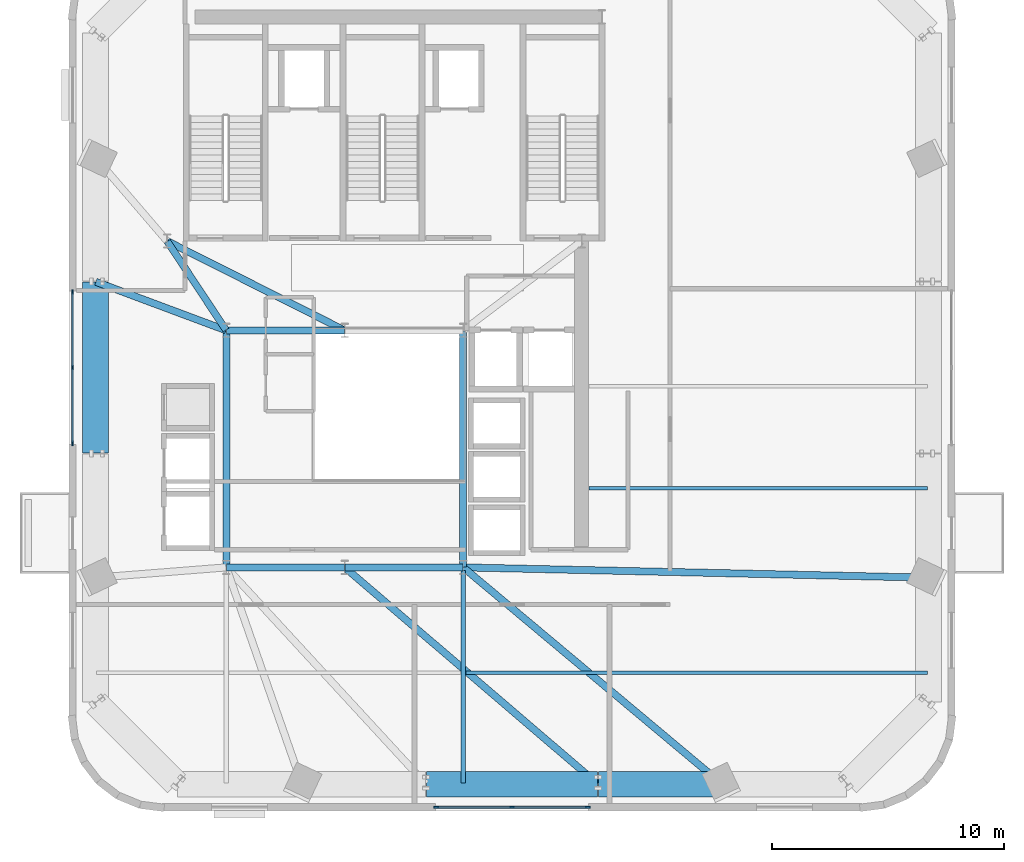
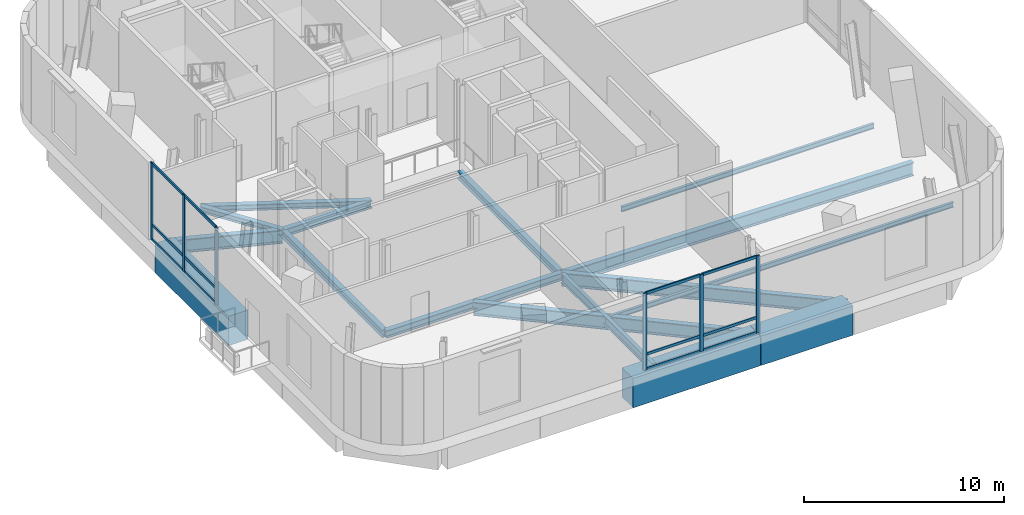
# One storey, part 2 of 11: 18 members, 17 beams, 2 elements without a shape of their own.
"""IFC4 building model written with IfcOpenShell, lengths in metres."""

from ifc_helpers import new_model, si_unit, direction, frame, origin, origin_2d, place, context, subcontext, project, spatial, rectangle, i_section, extrude, source, transform, mapped, material, material_profile, profile_set, type_object, element, aggregate, save


model = new_model("IFC4")

# Units and contexts
model_context = context("Model", 3, precision=1e-05, world=origin(), true_north=direction((0.0, 1.0)))
body_context = subcontext(model_context, "Body", "Model", "MODEL_VIEW")
ifc_project = project(units=[si_unit("LENGTHUNIT", "METRE"), si_unit("AREAUNIT", "SQUARE_METRE"), si_unit("VOLUMEUNIT", "CUBIC_METRE"), si_unit("PLANEANGLEUNIT", "RADIAN"), si_unit("MASSUNIT", "GRAM", prefix="KILO")], contexts=[model_context])

# Site, building, storey
site_placement = place(None, origin())
site = spatial("IfcSite", under=ifc_project, at=site_placement, CompositionType="ELEMENT")
building_placement = place(site_placement, origin())
building = spatial("IfcBuilding", under=site, at=building_placement, Name="Vardaveli Station Tower", CompositionType="ELEMENT")
storey_placement = place(building_placement, frame((0.0, 0.0, 286.14990234375)))
storey = spatial("IfcBuildingStorey", under=building, at=storey_placement, Name="L73", CompositionType="ELEMENT", Elevation=286.14990234375)

# Beams
ifc_material_1 = material(Name="Structural steel S355J2", Category="steel")
ifc_material_profile_1 = material_profile(ifc_material_1, i_section(OverallWidth=0.300048828125, OverallDepth=0.449951171875, WebThickness=0.013916015625, FlangeThickness=0.02587890625, FilletRadius=0.027099609375, at=origin_2d()), Name="HEB 450")
ifc_profile_set_1 = profile_set([ifc_material_profile_1], Name="Structural steel S355J2")
beam_type_1 = type_object("IfcBeamType", Name="BM-HEB450", PredefinedType="BEAM", material=ifc_profile_set_1)
shared_shape_1 = source(origin(), body_context, "Body", "SweptSolid", [
    extrude(i_section(OverallWidth=0.300048828125, OverallDepth=0.449951171875, WebThickness=0.013916015625, FlangeThickness=0.02587890625, FilletRadius=0.027099609375, at=origin_2d()), origin(), (0.0, 0.0, 1.0), 5.06005859375),
])
for number, where, z_axis, x_axis, name in (
    (1, (31.219970703125, 16.60009765625, -0.875), (1.0, 0.0, 0.0), (0.0, 1.0, 0.0), "ABM-L73-01"),
    (2, (36.280029296875, 26.800048828125, -0.875), (-1.0, 0.0, 0.0), (0.0, -1.0, 0.0), "ABM-L73-05"),
):
    element("IfcBeam", number, at=place(storey_placement, frame(where, z_axis=z_axis, x_axis=x_axis)), inside=storey, type_object=beam_type_1, Name=name, PredefinedType="BEAM", context=body_context, shape_type="MappedRepresentation", body=[
        mapped(shared_shape_1, transform((0.0, 0.0, 0.0), scale=1.0)),
    ])
shared_shape_2 = source(origin(), body_context, "Body", "SweptSolid", [
    extrude(i_section(OverallWidth=0.300048828125, OverallDepth=0.449951171875, WebThickness=0.013916015625, FlangeThickness=0.02587890625, FilletRadius=0.027099609375, at=origin_2d()), origin(), (0.0, 0.0, 1.0), 5.059814453125),
])
beam_1_placement = place(storey_placement, frame((36.320068359375, 16.60009765625, -0.875), z_axis=(1.0, 0.0, 0.0), x_axis=(0.0, 1.0, 0.0)))
element("IfcBeam", 3, at=beam_1_placement, inside=storey, type_object=beam_type_1, Name="ABM-L73-02", PredefinedType="BEAM", context=body_context, shape_type="MappedRepresentation", body=[
    mapped(shared_shape_2, transform((0.0, 0.0, 0.0), scale=1.0)),
])
shared_shape_3 = source(origin(), body_context, "Body", "SweptSolid", [
    extrude(i_section(OverallWidth=0.300048828125, OverallDepth=0.449951171875, WebThickness=0.013916015625, FlangeThickness=0.02587890625, FilletRadius=0.027099609375, at=origin_2d()), origin(), (0.0, 0.0, 1.0), 10.159912109375),
])
for number, where, z_axis, x_axis, name in (
    (4, (41.39990234375, 16.6201171875, -0.875), (0.0, 1.0, 0.0), (-1.0, 0.0, 0.0), "ABM-L73-03"),
    (5, (31.199951171875, 26.780029296875, -0.875), (0.0, -1.0, 0.0), (1.0, 0.0, 0.0), "ABM-L73-06"),
):
    element("IfcBeam", number, at=place(storey_placement, frame(where, z_axis=z_axis, x_axis=x_axis)), inside=storey, type_object=beam_type_1, Name=name, PredefinedType="BEAM", context=body_context, shape_type="MappedRepresentation", body=[
        mapped(shared_shape_3, transform((0.0, 0.0, 0.0), scale=1.0)),
    ])
ifc_material_profile_2 = material_profile(ifc_material_1, i_section(OverallWidth=0.300048828125, OverallDepth=0.360107421875, WebThickness=0.012451171875, FlangeThickness=0.0224609375, FilletRadius=0.027099609375, at=origin_2d()), Name="HEB 360")
ifc_profile_set_2 = profile_set([ifc_material_profile_2], Name="Structural steel S355J2")
beam_type_2 = type_object("IfcBeamType", Name="BM-HEB360", PredefinedType="BEAM", material=ifc_profile_set_2)
shared_shape_4 = source(origin(), body_context, "Body", "SweptSolid", [
    extrude(i_section(OverallWidth=0.300048828125, OverallDepth=0.360107421875, WebThickness=0.012451171875, FlangeThickness=0.0224609375, FilletRadius=0.027099609375, at=origin_2d()), origin(), (0.0, 0.0, 1.0), 4.577880859375),
])
beam_2_placement = place(storey_placement, frame((31.18896484375, 26.816650390625, -0.829833984375), z_axis=(-0.55218702139, 0.833720272879, 0.0), x_axis=(-0.833720272879, -0.55218702139, 0.0)))
element("IfcBeam", 6, at=beam_2_placement, inside=storey, type_object=beam_type_2, Name="CBM-L73-01", PredefinedType="BEAM", context=body_context, shape_type="MappedRepresentation", body=[
    mapped(shared_shape_4, transform((0.0, 0.0, 0.0), scale=1.0)),
])
shared_shape_5 = source(origin(), body_context, "Body", "SweptSolid", [
    extrude(i_section(OverallWidth=0.300048828125, OverallDepth=0.360107421875, WebThickness=0.012451171875, FlangeThickness=0.0224609375, FilletRadius=0.027099609375, at=origin_2d()), origin(), (0.0, 0.0, 1.0), 8.524169921875),
])
beam_3_placement = place(storey_placement, frame((28.66796875, 30.64111328125, -0.829833984375), z_axis=(0.893255584708, -0.449549174605, 0.0), x_axis=(0.449549174605, 0.893255584708, 0.0)))
element("IfcBeam", 7, at=beam_3_placement, inside=storey, type_object=beam_type_2, Name="CBM-L73-03", PredefinedType="BEAM", context=body_context, shape_type="MappedRepresentation", body=[
    mapped(shared_shape_5, transform((0.0, 0.0, 0.0), scale=1.0)),
])
ifc_material_2 = material(Name="Concrete C60/75", Category="concrete")
ifc_material_profile_3 = material_profile(ifc_material_2, rectangle(XDim=1.10009765625, YDim=1.800048828125, at=origin_2d()), Name="TG 1100x1800")
ifc_profile_set_3 = profile_set([ifc_material_profile_3], Name="Concrete C60/75")
beam_type_3 = type_object("IfcBeamType", Name="BM-TG-1800", PredefinedType="BEAM", material=ifc_profile_set_3)
shared_shape_6 = source(origin(), body_context, "Body", "SweptSolid", [
    extrude(rectangle(XDim=1.10009765625, YDim=1.800048828125, at=origin_2d()), origin(), (0.0, 0.0, 1.0), 7.35986328125),
])
for number, where, z_axis, x_axis, name in (
    (8, (39.820068359375, 7.27001953125, -1.5498046875), (1.0, 0.0, 0.0), (0.0, 1.0, 0.0), "RBM-L73-02"),
    (9, (25.570068359375, 28.8798828125, -1.5498046875), (0.0, -1.0, 0.0), (1.0, 0.0, 0.0), "RBM-L73-20"),
):
    element("IfcBeam", number, at=place(storey_placement, frame(where, z_axis=z_axis, x_axis=x_axis)), inside=storey, type_object=beam_type_3, Name=name, PredefinedType="BEAM", context=body_context, shape_type="MappedRepresentation", body=[
        mapped(shared_shape_6, transform((0.0, 0.0, 0.0), scale=1.0)),
    ])
shared_shape_7 = source(origin(), body_context, "Body", "SweptSolid", [
    extrude(rectangle(XDim=1.10009765625, YDim=1.800048828125, at=origin_2d()), origin(), (0.0, 0.0, 1.0), 5.3037109375),
])
beam_4_placement = place(storey_placement, frame((47.219970703125, 7.27001953125, -1.5498046875), z_axis=(1.0, 0.0, 0.0), x_axis=(0.0, 1.0, 0.0)))
element("IfcBeam", 10, at=beam_4_placement, inside=storey, type_object=beam_type_3, Name="RBM-L73-03", PredefinedType="BEAM", context=body_context, shape_type="MappedRepresentation", body=[
    mapped(shared_shape_7, transform((0.0, 0.0, 0.0), scale=1.0)),
])
ifc_material_3 = material(Name="Structural steel S460M", Category="steel")
ifc_material_profile_4 = material_profile(ifc_material_3, i_section(OverallWidth=0.305908203125, OverallDepth=0.81396484375, WebThickness=0.02099609375, FlangeThickness=0.0400390625, FilletRadius=0.027099609375, at=origin_2d()), Name="HEM 800")
ifc_profile_set_4 = profile_set([ifc_material_profile_4], Name="Structural steel S460M")
beam_type_4 = type_object("IfcBeamType", Name="BM-HEM800", PredefinedType="BEAM", material=ifc_profile_set_4)
shared_shape_8 = source(origin(), body_context, "Body", "SweptSolid", [
    extrude(i_section(OverallWidth=0.305908203125, OverallDepth=0.81396484375, WebThickness=0.02099609375, FlangeThickness=0.0400390625, FilletRadius=0.027099609375, at=origin_2d()), origin(), (0.0, 0.0, 1.0), 14.307861328125),
])
beam_5_placement = place(storey_placement, frame((47.184814453125, 7.282958984375, -1.056884765625), z_axis=(-0.759700879134, 0.650272692217, 0.0), x_axis=(-0.650272692217, -0.759700879134, 0.0)))
element("IfcBeam", 11, at=beam_5_placement, inside=storey, type_object=beam_type_4, Name="GBM-L73-03", PredefinedType="BEAM", context=body_context, shape_type="MappedRepresentation", body=[
    mapped(shared_shape_8, transform((0.0, 0.0, 0.0), scale=1.0)),
])
shared_shape_9 = source(origin(), body_context, "Body", "SweptSolid", [
    extrude(i_section(OverallWidth=0.305908203125, OverallDepth=0.81396484375, WebThickness=0.02099609375, FlangeThickness=0.0400390625, FilletRadius=0.027099609375, at=origin_2d()), origin(), (0.0, 0.0, 1.0), 14.493896484375),
])
beam_6_placement = place(storey_placement, frame((52.528564453125, 7.282958984375, -1.056884765625), z_axis=(-0.766755744858, 0.641938959502, 0.0), x_axis=(-0.641938959502, -0.766755744858, 0.0)))
element("IfcBeam", 12, at=beam_6_placement, inside=storey, type_object=beam_type_4, Name="GBM-L73-04", PredefinedType="BEAM", context=body_context, shape_type="MappedRepresentation", body=[
    mapped(shared_shape_9, transform((0.0, 0.0, 0.0), scale=1.0)),
])
shared_shape_10 = source(origin(), body_context, "Body", "SweptSolid", [
    extrude(i_section(OverallWidth=0.305908203125, OverallDepth=0.81396484375, WebThickness=0.02099609375, FlangeThickness=0.0400390625, FilletRadius=0.027099609375, at=origin_2d()), origin(), (0.0, 0.0, 1.0), 19.994873046875),
])
beam_7_placement = place(storey_placement, frame((61.409912109375, 16.15673828125, -1.056884765625), z_axis=(-0.999754676206, 0.022149207766, 0.0), x_axis=(-0.022149207766, -0.999754676206, 0.0)))
element("IfcBeam", 13, at=beam_7_placement, inside=storey, type_object=beam_type_4, Name="GBM-L73-05", PredefinedType="BEAM", context=body_context, shape_type="MappedRepresentation", body=[
    mapped(shared_shape_10, transform((0.0, 0.0, 0.0), scale=1.0)),
])
shared_shape_11 = source(origin(), body_context, "Body", "SweptSolid", [
    extrude(i_section(OverallWidth=0.305908203125, OverallDepth=0.81396484375, WebThickness=0.02099609375, FlangeThickness=0.0400390625, FilletRadius=0.027099609375, at=origin_2d()), origin(), (0.0, 0.0, 1.0), 5.968994140625),
])
beam_8_placement = place(storey_placement, frame((25.588623046875, 28.89306640625, -1.056884765625), z_axis=(0.936934580863, -0.349504779913, 0.0), x_axis=(0.349504779913, 0.936934580863, 0.0)))
element("IfcBeam", 14, at=beam_8_placement, inside=storey, type_object=beam_type_4, Name="GBM-L73-08", PredefinedType="BEAM", context=body_context, shape_type="MappedRepresentation", body=[
    mapped(shared_shape_11, transform((0.0, 0.0, 0.0), scale=1.0)),
])
ifc_material_profile_5 = material_profile(ifc_material_1, i_section(OverallWidth=0.2099609375, OverallDepth=0.550048828125, WebThickness=0.010986328125, FlangeThickness=0.01708984375, FilletRadius=0.02392578125, at=origin_2d()), Name="IPE 550")
ifc_profile_set_5 = profile_set([ifc_material_profile_5], Name="Structural steel S355J2")
beam_type_5 = type_object("IfcBeamType", Name="BM-IPE550", PredefinedType="BEAM", material=ifc_profile_set_5)
shared_shape_12 = source(origin(), body_context, "Body", "SweptSolid", [
    extrude(i_section(OverallWidth=0.2099609375, OverallDepth=0.550048828125, WebThickness=0.010986328125, FlangeThickness=0.01708984375, FilletRadius=0.02392578125, at=origin_2d()), origin(), (0.0, 0.0, 1.0), 9.14990234375),
])
beam_9_placement = place(storey_placement, frame((41.39990234375, 7.31005859375, -0.9248046875), z_axis=(0.0, 1.0, 0.0), x_axis=(-1.0, 0.0, 0.0)))
element("IfcBeam", 15, at=beam_9_placement, inside=storey, type_object=beam_type_5, Name="NSM-L73-S2", PredefinedType="BEAM", context=body_context, shape_type="MappedRepresentation", body=[
    mapped(shared_shape_12, transform((0.0, 0.0, 0.0), scale=1.0)),
])
ifc_material_profile_6 = material_profile(ifc_material_1, i_section(OverallWidth=0.14990234375, OverallDepth=0.300048828125, WebThickness=0.007080078125, FlangeThickness=0.0107421875, FilletRadius=0.014892578125, at=origin_2d()), Name="IPE 300")
ifc_profile_set_6 = profile_set([ifc_material_profile_6], Name="Structural steel S355J2")
beam_type_6 = type_object("IfcBeamType", Name="BM-IPE300", PredefinedType="JOIST", material=ifc_profile_set_6)
shared_shape_13 = source(origin(), body_context, "Body", "SweptSolid", [
    extrude(i_section(OverallWidth=0.14990234375, OverallDepth=0.300048828125, WebThickness=0.007080078125, FlangeThickness=0.0107421875, FilletRadius=0.014892578125, at=origin_2d()), origin(), (0.0, 0.0, 1.0), 19.8779296875),
])
beam_10_placement = place(storey_placement, frame((41.511962890625, 12.070068359375, -0.7998046875), z_axis=(1.0, 0.0, 0.0), x_axis=(0.0, 1.0, 0.0)))
element("IfcBeam", 16, at=beam_10_placement, inside=storey, type_object=beam_type_6, Name="SJ-L73-S03", PredefinedType="JOIST", context=body_context, shape_type="MappedRepresentation", body=[
    mapped(shared_shape_13, transform((0.0, 0.0, 0.0), scale=1.0)),
])
shared_shape_14 = source(origin(), body_context, "Body", "SweptSolid", [
    extrude(i_section(OverallWidth=0.14990234375, OverallDepth=0.300048828125, WebThickness=0.007080078125, FlangeThickness=0.0107421875, FilletRadius=0.014892578125, at=origin_2d()), origin(), (0.0, 0.0, 1.0), 14.5849609375),
])
beam_11_placement = place(storey_placement, frame((46.804931640625, 20.0, -0.7998046875), z_axis=(1.0, 0.0, 0.0), x_axis=(0.0, 1.0, 0.0)))
element("IfcBeam", 17, at=beam_11_placement, inside=storey, type_object=beam_type_6, Name="SJ-L73-E06", PredefinedType="JOIST", context=body_context, shape_type="MappedRepresentation", body=[
    mapped(shared_shape_14, transform((0.0, 0.0, 0.0), scale=1.0)),
])

# Curtain wall, members
ifc_material_4 = material(Name="Travertine stone and solar-control glass", Category="masonry")
curtain_wall_type = type_object("IfcCurtainWallType", Name="CW-SYS-5", PredefinedType="NOTDEFINED", material=ifc_material_4)
curtain_wall_1_placement = place(storey_placement, origin())
curtain_wall_1 = element("IfcCurtainWall", 18, at=curtain_wall_1_placement, inside=storey, type_object=curtain_wall_type, Name="CW-L73-S", PredefinedType="NOTDEFINED")
ifc_material_5 = material(Name="Anodised aluminium alloy 6063-T6", Category="aluminium")
ifc_material_profile_7 = material_profile(ifc_material_5, rectangle(XDim=0.080078125, YDim=0.1650390625, at=origin_2d()), Name="CWT 80x165")
ifc_profile_set_7 = profile_set([ifc_material_profile_7], Name="Anodised aluminium alloy 6063-T6")
member_type_1 = type_object("IfcMemberType", Name="CW-SYS-5-TRAN", PredefinedType="NOTDEFINED", material=ifc_profile_set_7)
shared_shape_15 = source(origin(), body_context, "Body", "SweptSolid", [
    extrude(rectangle(XDim=0.080078125, YDim=0.1650390625, at=origin_2d()), origin(), (0.0, 0.0, 1.0), 3.179931640625),
])
member_1_placement = place(storey_placement, frame((40.280029296875, 6.280029296875, 0.0400390625), z_axis=(1.0, 0.0, 0.0), x_axis=(0.0, 1.0, 0.0)))
member_1 = element("IfcMember", 19, at=member_1_placement, type_object=member_type_1, Name="CW-5 transom 1.1", ObjectType="TRANSOM", PredefinedType="USERDEFINED", context=body_context, shape_type="MappedRepresentation", body=[
    mapped(shared_shape_15, transform((0.0, 0.0, 0.0), scale=1.0)),
])
member_2_placement = place(storey_placement, frame((40.280029296875, 6.280029296875, 0.9501953125), z_axis=(1.0, 0.0, 0.0), x_axis=(0.0, 1.0, 0.0)))
member_2 = element("IfcMember", 20, at=member_2_placement, type_object=member_type_1, Name="CW-5 transom 1.2", ObjectType="TRANSOM", PredefinedType="USERDEFINED", context=body_context, shape_type="MappedRepresentation", body=[
    mapped(shared_shape_15, transform((0.0, 0.0, 0.0), scale=1.0)),
])
member_3_placement = place(storey_placement, frame((40.280029296875, 6.280029296875, 4.66015625), z_axis=(1.0, 0.0, 0.0), x_axis=(0.0, 1.0, 0.0)))
member_3 = element("IfcMember", 21, at=member_3_placement, type_object=member_type_1, Name="CW-5 transom 1.3", ObjectType="TRANSOM", PredefinedType="USERDEFINED", context=body_context, shape_type="MappedRepresentation", body=[
    mapped(shared_shape_15, transform((0.0, 0.0, 0.0), scale=1.0)),
])
member_4_placement = place(storey_placement, frame((43.5400390625, 6.280029296875, 0.0400390625), z_axis=(1.0, 0.0, 0.0), x_axis=(0.0, 1.0, 0.0)))
member_4 = element("IfcMember", 22, at=member_4_placement, type_object=member_type_1, Name="CW-5 transom 2.1", ObjectType="TRANSOM", PredefinedType="USERDEFINED", context=body_context, shape_type="MappedRepresentation", body=[
    mapped(shared_shape_15, transform((0.0, 0.0, 0.0), scale=1.0)),
])
member_5_placement = place(storey_placement, frame((43.5400390625, 6.280029296875, 0.9501953125), z_axis=(1.0, 0.0, 0.0), x_axis=(0.0, 1.0, 0.0)))
member_5 = element("IfcMember", 23, at=member_5_placement, type_object=member_type_1, Name="CW-5 transom 2.2", ObjectType="TRANSOM", PredefinedType="USERDEFINED", context=body_context, shape_type="MappedRepresentation", body=[
    mapped(shared_shape_15, transform((0.0, 0.0, 0.0), scale=1.0)),
])
member_6_placement = place(storey_placement, frame((43.5400390625, 6.280029296875, 4.66015625), z_axis=(1.0, 0.0, 0.0), x_axis=(0.0, 1.0, 0.0)))
member_6 = element("IfcMember", 24, at=member_6_placement, type_object=member_type_1, Name="CW-5 transom 2.3", ObjectType="TRANSOM", PredefinedType="USERDEFINED", context=body_context, shape_type="MappedRepresentation", body=[
    mapped(shared_shape_15, transform((0.0, 0.0, 0.0), scale=1.0)),
])

curtain_wall_2_placement = place(storey_placement, origin())
curtain_wall_2 = element("IfcCurtainWall", 25, at=curtain_wall_2_placement, inside=storey, type_object=curtain_wall_type, Name="CW-L73-W", PredefinedType="NOTDEFINED")
member_7_placement = place(storey_placement, frame((24.580078125, 28.419921875, 0.0400390625), z_axis=(0.0, -1.0, 0.0), x_axis=(1.0, 0.0, 0.0)))
member_7 = element("IfcMember", 26, at=member_7_placement, type_object=member_type_1, Name="CW-5 transom 1.1", ObjectType="TRANSOM", PredefinedType="USERDEFINED", context=body_context, shape_type="MappedRepresentation", body=[
    mapped(shared_shape_15, transform((0.0, 0.0, 0.0), scale=1.0)),
])
member_8_placement = place(storey_placement, frame((24.580078125, 28.419921875, 0.9501953125), z_axis=(0.0, -1.0, 0.0), x_axis=(1.0, 0.0, 0.0)))
member_8 = element("IfcMember", 27, at=member_8_placement, type_object=member_type_1, Name="CW-5 transom 1.2", ObjectType="TRANSOM", PredefinedType="USERDEFINED", context=body_context, shape_type="MappedRepresentation", body=[
    mapped(shared_shape_15, transform((0.0, 0.0, 0.0), scale=1.0)),
])
member_9_placement = place(storey_placement, frame((24.580078125, 28.419921875, 4.66015625), z_axis=(0.0, -1.0, 0.0), x_axis=(1.0, 0.0, 0.0)))
member_9 = element("IfcMember", 28, at=member_9_placement, type_object=member_type_1, Name="CW-5 transom 1.3", ObjectType="TRANSOM", PredefinedType="USERDEFINED", context=body_context, shape_type="MappedRepresentation", body=[
    mapped(shared_shape_15, transform((0.0, 0.0, 0.0), scale=1.0)),
])
member_10_placement = place(storey_placement, frame((24.580078125, 25.159912109375, 0.0400390625), z_axis=(0.0, -1.0, 0.0), x_axis=(1.0, 0.0, 0.0)))
member_10 = element("IfcMember", 29, at=member_10_placement, type_object=member_type_1, Name="CW-5 transom 2.1", ObjectType="TRANSOM", PredefinedType="USERDEFINED", context=body_context, shape_type="MappedRepresentation", body=[
    mapped(shared_shape_15, transform((0.0, 0.0, 0.0), scale=1.0)),
])
member_11_placement = place(storey_placement, frame((24.580078125, 25.159912109375, 0.9501953125), z_axis=(0.0, -1.0, 0.0), x_axis=(1.0, 0.0, 0.0)))
member_11 = element("IfcMember", 30, at=member_11_placement, type_object=member_type_1, Name="CW-5 transom 2.2", ObjectType="TRANSOM", PredefinedType="USERDEFINED", context=body_context, shape_type="MappedRepresentation", body=[
    mapped(shared_shape_15, transform((0.0, 0.0, 0.0), scale=1.0)),
])
member_12_placement = place(storey_placement, frame((24.580078125, 25.159912109375, 4.66015625), z_axis=(0.0, -1.0, 0.0), x_axis=(1.0, 0.0, 0.0)))
member_12 = element("IfcMember", 31, at=member_12_placement, type_object=member_type_1, Name="CW-5 transom 2.3", ObjectType="TRANSOM", PredefinedType="USERDEFINED", context=body_context, shape_type="MappedRepresentation", body=[
    mapped(shared_shape_15, transform((0.0, 0.0, 0.0), scale=1.0)),
])

# Member
ifc_material_profile_8 = material_profile(ifc_material_5, rectangle(XDim=0.080078125, YDim=0.205078125, at=origin_2d()), Name="CWM 80x205")
ifc_profile_set_8 = profile_set([ifc_material_profile_8], Name="Anodised aluminium alloy 6063-T6")
member_type_2 = type_object("IfcMemberType", Name="CW-SYS-5-MULL", PredefinedType="MULLION", material=ifc_profile_set_8)
shared_shape_16 = source(origin(), body_context, "Body", "SweptSolid", [
    extrude(rectangle(XDim=0.080078125, YDim=0.205078125, at=origin_2d()), origin(), (0.0, 0.0, 1.0), 4.7001953125),
])
member_13_placement = place(storey_placement, frame((40.239990234375, 6.280029296875, 0.0), z_axis=(0.0, 0.0, 1.0), x_axis=(0.0, 1.0, 0.0)))
member_13 = element("IfcMember", 32, at=member_13_placement, type_object=member_type_2, Name="CW-5 mullion 1", PredefinedType="MULLION", context=body_context, shape_type="MappedRepresentation", body=[
    mapped(shared_shape_16, transform((0.0, 0.0, 0.0), scale=1.0)),
])

member_14_placement = place(storey_placement, frame((43.5, 6.280029296875, 0.0), z_axis=(0.0, 0.0, 1.0), x_axis=(0.0, 1.0, 0.0)))
member_14 = element("IfcMember", 33, at=member_14_placement, type_object=member_type_2, Name="CW-5 mullion 2", PredefinedType="MULLION", context=body_context, shape_type="MappedRepresentation", body=[
    mapped(shared_shape_16, transform((0.0, 0.0, 0.0), scale=1.0)),
])

member_15_placement = place(storey_placement, frame((46.760009765625, 6.280029296875, 0.0), z_axis=(0.0, 0.0, 1.0), x_axis=(0.0, 1.0, 0.0)))
member_15 = element("IfcMember", 34, at=member_15_placement, type_object=member_type_2, Name="CW-5 mullion 3", PredefinedType="MULLION", context=body_context, shape_type="MappedRepresentation", body=[
    mapped(shared_shape_16, transform((0.0, 0.0, 0.0), scale=1.0)),
])

aggregate(curtain_wall_1, [member_13, member_14, member_15, member_1, member_2, member_3, member_4, member_5, member_6])

member_16_placement = place(storey_placement, frame((24.580078125, 28.4599609375, 0.0), z_axis=(0.0, 0.0, 1.0), x_axis=(1.0, 0.0, 0.0)))
member_16 = element("IfcMember", 35, at=member_16_placement, type_object=member_type_2, Name="CW-5 mullion 1", PredefinedType="MULLION", context=body_context, shape_type="MappedRepresentation", body=[
    mapped(shared_shape_16, transform((0.0, 0.0, 0.0), scale=1.0)),
])

member_17_placement = place(storey_placement, frame((24.580078125, 25.199951171875, 0.0), z_axis=(0.0, 0.0, 1.0), x_axis=(1.0, 0.0, 0.0)))
member_17 = element("IfcMember", 36, at=member_17_placement, type_object=member_type_2, Name="CW-5 mullion 2", PredefinedType="MULLION", context=body_context, shape_type="MappedRepresentation", body=[
    mapped(shared_shape_16, transform((0.0, 0.0, 0.0), scale=1.0)),
])

member_18_placement = place(storey_placement, frame((24.580078125, 21.93994140625, 0.0), z_axis=(0.0, 0.0, 1.0), x_axis=(1.0, 0.0, 0.0)))
member_18 = element("IfcMember", 37, at=member_18_placement, type_object=member_type_2, Name="CW-5 mullion 3", PredefinedType="MULLION", context=body_context, shape_type="MappedRepresentation", body=[
    mapped(shared_shape_16, transform((0.0, 0.0, 0.0), scale=1.0)),
])

aggregate(curtain_wall_2, [member_16, member_17, member_18, member_7, member_8, member_9, member_10, member_11, member_12])

save(model, "model.ifc")
